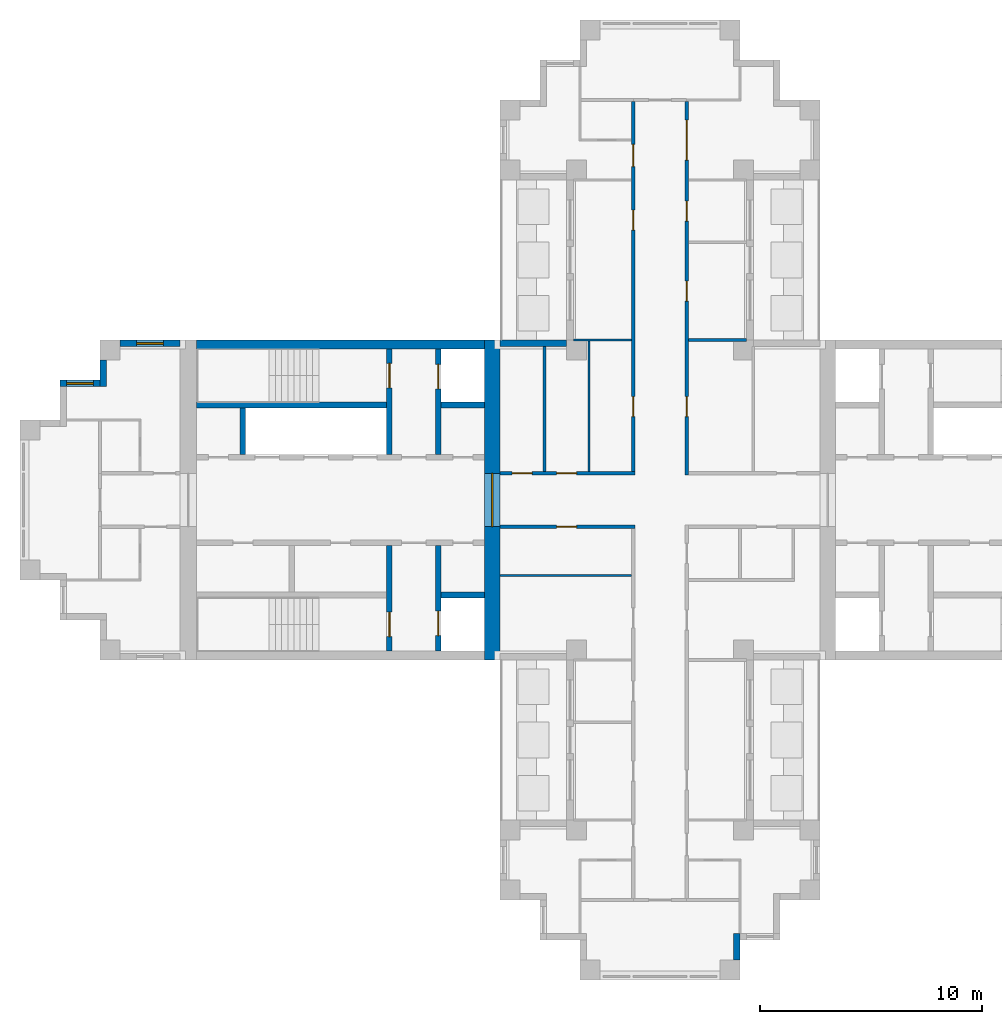
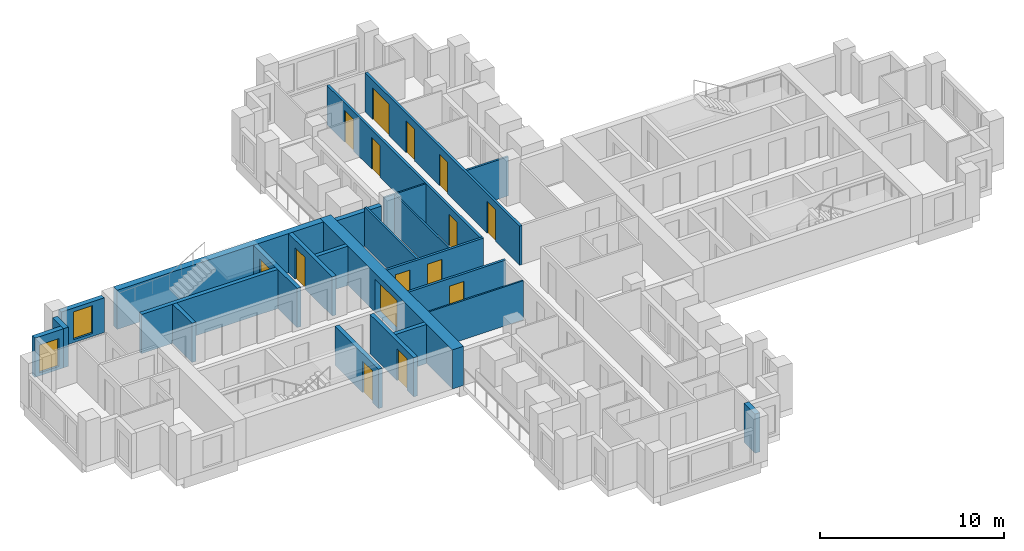
# One storey, part 4 of 10: 24 walls, 15 doors, 2 windows, 17 openings.
"""IFC4 building model written with IfcOpenShell, lengths in metres."""

from ifc_helpers import new_model, si_unit, direction, frame, frame_2d, origin, place, context, subcontext, project, spatial, rectangle, extrude, material, layer, layer_set, type_object, element, fill, save


model = new_model("IFC4")

# Units and contexts
model_context = context("Model", 3, precision=1e-05, world=origin(), true_north=direction((0.0, 1.0)))
body_context = subcontext(model_context, "Body", "Model", "MODEL_VIEW")
ifc_project = project(units=[si_unit("LENGTHUNIT", "METRE"), si_unit("AREAUNIT", "SQUARE_METRE"), si_unit("VOLUMEUNIT", "CUBIC_METRE"), si_unit("PLANEANGLEUNIT", "RADIAN"), si_unit("MASSUNIT", "GRAM", prefix="KILO")], contexts=[model_context])

# Site, building, storey
site_placement = place(None, origin())
site = spatial("IfcSite", under=ifc_project, at=site_placement, CompositionType="ELEMENT")
building_placement = place(site_placement, origin())
building = spatial("IfcBuilding", under=site, at=building_placement, Name="Fustian Cross Tower", CompositionType="ELEMENT")
storey_placement = place(building_placement, frame((0.0, 0.0, 201.89990234375)))
storey = spatial("IfcBuildingStorey", under=building, at=storey_placement, Name="L63", CompositionType="ELEMENT", Elevation=201.89990234375)

# Wall, opening, door
ifc_material_1 = material(Name="Plasterboard on steel stud", Category="steel")
ifc_layer_1 = layer(ifc_material_1, 0.14990234375)
ifc_layer_set_1 = layer_set([ifc_layer_1], Name="Plasterboard on steel stud")
wall_type_1 = type_object("IfcWallType", Name="COMPARTMENT WALL 150 EI 60", PredefinedType="PARTITIONING", material=ifc_layer_set_1)
wall_1_placement = place(storey_placement, frame((-7.199951171875, -1.199951171875, 0.0), z_axis=(0.0, 0.0, 1.0), x_axis=(1.0, 0.0, 0.0)))
wall_1 = element("IfcWall", 1, at=wall_1_placement, inside=storey, type_object=wall_type_1, Name="Partition 11", PredefinedType="PARTITIONING", context=body_context, shape_type="SweptSolid", body=[
    extrude(rectangle(XDim=6.074951171875, YDim=0.14990234375, at=frame_2d((3.03759765625, 0.0))), origin(), (0.0, 0.0, 1.0), 2.60009765625),
])
opening_1_placement = place(wall_1_placement, frame((2.550048828125, 0.0, 0.0)))
opening_1 = element("IfcOpeningElement", 2, at=opening_1_placement, cuts=wall_1, Name="Opening D29009", PredefinedType="OPENING", context=body_context, shape_type="SweptSolid", body=[
    extrude(rectangle(XDim=0.89990234375, YDim=2.10009765625, at=frame_2d((0.449951171875, 1.050048828125))), frame((0.0, 0.0849609375, 0.0), z_axis=(0.0, -1.0, 0.0), x_axis=(1.0, 0.0, 0.0)), (0.0, 0.0, 1.0), 0.169921875),
])
ifc_material_2 = material(Name="Timber fire door set", Category="wood")
door_type_1 = type_object("IfcDoorType", Name="FIRE SWING DOOR 900 FD30S", OperationType="SINGLE_SWING_LEFT", PredefinedType="DOOR", material=ifc_material_2)
door_1_placement = place(opening_1_placement, frame((0.89990234375, 0.0, 0.0), z_axis=(0.0, 0.0, 1.0), x_axis=(-1.0, 0.0, 0.0)))
door_1 = element("IfcDoor", 3, at=door_1_placement, inside=storey, type_object=door_type_1, Name="Door D29009", OperationType="SINGLE_SWING_RIGHT", OverallHeight=2.10009765625, OverallWidth=0.89990234375, PredefinedType="DOOR", context=body_context, shape_type="SweptSolid", body=[
    extrude(rectangle(XDim=0.89990234375, YDim=2.10009765625, at=frame_2d((0.449951171875, 1.050048828125))), frame((0.0, 0.02490234375, 0.0), z_axis=(0.0, -1.0, 0.0), x_axis=(1.0, 0.0, 0.0)), (0.0, 0.0, 1.0), 0.050048828125),
])
fill(opening_1, door_1)

# Wall, openings, doors
wall_2_placement = place(storey_placement, frame((-7.199951171875, 1.199951171875, 0.0), z_axis=(0.0, 0.0, 1.0), x_axis=(1.0, 0.0, 0.0)))
wall_2 = element("IfcWall", 4, at=wall_2_placement, inside=storey, type_object=wall_type_1, Name="Partition 12", PredefinedType="PARTITIONING", context=body_context, shape_type="SweptSolid", body=[
    extrude(rectangle(XDim=6.074951171875, YDim=0.14990234375, at=frame_2d((3.03759765625, 0.0))), origin(), (0.0, 0.0, 1.0), 2.60009765625),
])
opening_2_placement = place(wall_2_placement, frame((2.550048828125, 0.0, 0.0)))
opening_2 = element("IfcOpeningElement", 5, at=opening_2_placement, cuts=wall_2, Name="Opening D29004", PredefinedType="OPENING", context=body_context, shape_type="SweptSolid", body=[
    extrude(rectangle(XDim=0.89990234375, YDim=2.10009765625, at=frame_2d((0.449951171875, 1.050048828125))), frame((0.0, 0.0849609375, 0.0), z_axis=(0.0, -1.0, 0.0), x_axis=(1.0, 0.0, 0.0)), (0.0, 0.0, 1.0), 0.169921875),
])
opening_3_placement = place(wall_2_placement, frame((0.550048828125, 0.0, 0.0)))
opening_3 = element("IfcOpeningElement", 6, at=opening_3_placement, cuts=wall_2, Name="Opening D29005", PredefinedType="OPENING", context=body_context, shape_type="SweptSolid", body=[
    extrude(rectangle(XDim=0.89990234375, YDim=2.10009765625, at=frame_2d((0.449951171875, 1.050048828125))), frame((0.0, 0.0849609375, 0.0), z_axis=(0.0, -1.0, 0.0), x_axis=(1.0, 0.0, 0.0)), (0.0, 0.0, 1.0), 0.169921875),
])
door_2_placement = place(opening_2_placement, origin())
door_2 = element("IfcDoor", 7, at=door_2_placement, inside=storey, type_object=door_type_1, Name="Door D29004", OperationType="SINGLE_SWING_LEFT", OverallHeight=2.10009765625, OverallWidth=0.89990234375, PredefinedType="DOOR", context=body_context, shape_type="SweptSolid", body=[
    extrude(rectangle(XDim=0.89990234375, YDim=2.10009765625, at=frame_2d((0.449951171875, 1.050048828125))), frame((0.0, 0.02490234375, 0.0), z_axis=(0.0, -1.0, 0.0), x_axis=(1.0, 0.0, 0.0)), (0.0, 0.0, 1.0), 0.050048828125),
])
fill(opening_2, door_2)
door_3_placement = place(opening_3_placement, origin())
door_3 = element("IfcDoor", 8, at=door_3_placement, inside=storey, type_object=door_type_1, Name="Door D29005", OperationType="SINGLE_SWING_LEFT", OverallHeight=2.10009765625, OverallWidth=0.89990234375, PredefinedType="DOOR", context=body_context, shape_type="SweptSolid", body=[
    extrude(rectangle(XDim=0.89990234375, YDim=2.10009765625, at=frame_2d((0.449951171875, 1.050048828125))), frame((0.0, 0.02490234375, 0.0), z_axis=(0.0, -1.0, 0.0), x_axis=(1.0, 0.0, 0.0)), (0.0, 0.0, 1.0), 0.050048828125),
])
fill(opening_3, door_3)

wall_3_placement = place(storey_placement, frame((-1.199951171875, 1.27490234375, 0.0), z_axis=(0.0, 0.0, 1.0), x_axis=(0.0, 1.0, 0.0)))
wall_3 = element("IfcWall", 9, at=wall_3_placement, inside=storey, type_object=wall_type_1, Name="Partition 28", PredefinedType="PARTITIONING", context=body_context, shape_type="SweptSolid", body=[
    extrude(rectangle(XDim=16.650146484375, YDim=0.14990234375, at=frame_2d((8.3251953125, 0.0))), origin(), (0.0, 0.0, 1.0), 2.60009765625),
])
opening_4_placement = place(wall_3_placement, frame((2.47509765625, 0.0, 0.0)))
opening_4 = element("IfcOpeningElement", 10, at=opening_4_placement, cuts=wall_3, Name="Opening D29003", PredefinedType="OPENING", context=body_context, shape_type="SweptSolid", body=[
    extrude(rectangle(XDim=0.89990234375, YDim=2.10009765625, at=frame_2d((0.449951171875, 1.050048828125))), frame((0.0, 0.0849609375, 0.0), z_axis=(0.0, -1.0, 0.0), x_axis=(1.0, 0.0, 0.0)), (0.0, 0.0, 1.0), 0.169921875),
])
opening_5_placement = place(wall_3_placement, frame((10.875, 0.0, 0.0)))
opening_5 = element("IfcOpeningElement", 11, at=opening_5_placement, cuts=wall_3, Name="Opening D29015", PredefinedType="OPENING", context=body_context, shape_type="SweptSolid", body=[
    extrude(rectangle(XDim=0.89990234375, YDim=2.10009765625, at=frame_2d((0.449951171875, 1.050048828125))), frame((0.0, 0.0849609375, 0.0), z_axis=(0.0, -1.0, 0.0), x_axis=(1.0, 0.0, 0.0)), (0.0, 0.0, 1.0), 0.169921875),
])
opening_6_placement = place(wall_3_placement, frame((13.72509765625, 0.0, 0.0)))
opening_6 = element("IfcOpeningElement", 12, at=opening_6_placement, cuts=wall_3, Name="Opening D29017", PredefinedType="OPENING", context=body_context, shape_type="SweptSolid", body=[
    extrude(rectangle(XDim=1.0, YDim=2.10009765625, at=frame_2d((0.5, 1.050048828125))), frame((0.0, 0.0849609375, 0.0), z_axis=(0.0, -1.0, 0.0), x_axis=(1.0, 0.0, 0.0)), (0.0, 0.0, 1.0), 0.169921875),
])
ifc_material_3 = material(Name="Timber fire door set", Category="wood")
door_type_2 = type_object("IfcDoorType", Name="FIRE SWING DOOR 1000 FD30S", OperationType="SINGLE_SWING_LEFT", PredefinedType="DOOR", material=ifc_material_3)
door_4_placement = place(opening_6_placement, origin())
door_4 = element("IfcDoor", 13, at=door_4_placement, inside=storey, type_object=door_type_2, Name="Door D29017", OperationType="SINGLE_SWING_RIGHT", OverallHeight=2.10009765625, OverallWidth=1.0, PredefinedType="DOOR", context=body_context, shape_type="SweptSolid", body=[
    extrude(rectangle(XDim=1.0, YDim=2.10009765625, at=frame_2d((0.5, 1.050048828125))), frame((0.0, 0.02490234375, 0.0), z_axis=(0.0, -1.0, 0.0), x_axis=(1.0, 0.0, 0.0)), (0.0, 0.0, 1.0), 0.050048828125),
])
fill(opening_6, door_4)
door_5_placement = place(opening_4_placement, origin())
door_5 = element("IfcDoor", 14, at=door_5_placement, inside=storey, type_object=door_type_1, Name="Door D29003", OperationType="SINGLE_SWING_LEFT", OverallHeight=2.10009765625, OverallWidth=0.89990234375, PredefinedType="DOOR", context=body_context, shape_type="SweptSolid", body=[
    extrude(rectangle(XDim=0.89990234375, YDim=2.10009765625, at=frame_2d((0.449951171875, 1.050048828125))), frame((0.0, 0.02490234375, 0.0), z_axis=(0.0, -1.0, 0.0), x_axis=(1.0, 0.0, 0.0)), (0.0, 0.0, 1.0), 0.050048828125),
])
fill(opening_4, door_5)
door_6_placement = place(opening_5_placement, origin())
door_6 = element("IfcDoor", 15, at=door_6_placement, inside=storey, type_object=door_type_1, Name="Door D29015", OperationType="SINGLE_SWING_RIGHT", OverallHeight=2.10009765625, OverallWidth=0.89990234375, PredefinedType="DOOR", context=body_context, shape_type="SweptSolid", body=[
    extrude(rectangle(XDim=0.89990234375, YDim=2.10009765625, at=frame_2d((0.449951171875, 1.050048828125))), frame((0.0, 0.02490234375, 0.0), z_axis=(0.0, -1.0, 0.0), x_axis=(1.0, 0.0, 0.0)), (0.0, 0.0, 1.0), 0.050048828125),
])
fill(opening_5, door_6)

wall_4_placement = place(storey_placement, frame((1.199951171875, 1.125, 0.0), z_axis=(0.0, 0.0, 1.0), x_axis=(0.0, 1.0, 0.0)))
wall_4 = element("IfcWall", 16, at=wall_4_placement, inside=storey, type_object=wall_type_1, Name="Partition 37", PredefinedType="PARTITIONING", context=body_context, shape_type="SweptSolid", body=[
    extrude(rectangle(XDim=16.800048828125, YDim=0.14990234375, at=frame_2d((8.39990234375, 0.0))), origin(), (0.0, 0.0, 1.0), 2.60009765625),
])
opening_7_placement = place(wall_4_placement, frame((2.625, 0.0, 0.0)))
opening_7 = element("IfcOpeningElement", 17, at=opening_7_placement, cuts=wall_4, Name="Opening D29001", PredefinedType="OPENING", context=body_context, shape_type="SweptSolid", body=[
    extrude(rectangle(XDim=0.89990234375, YDim=2.10009765625, at=frame_2d((0.449951171875, 1.050048828125))), frame((0.0, 0.0849609375, 0.0), z_axis=(0.0, -1.0, 0.0), x_axis=(1.0, 0.0, 0.0)), (0.0, 0.0, 1.0), 0.169921875),
])
opening_8_placement = place(wall_4_placement, frame((11.425048828125, 0.0, 0.0)))
opening_8 = element("IfcOpeningElement", 18, at=opening_8_placement, cuts=wall_4, Name="Opening D29018", PredefinedType="OPENING", context=body_context, shape_type="SweptSolid", body=[
    extrude(rectangle(XDim=0.89990234375, YDim=2.10009765625, at=frame_2d((0.449951171875, 1.050048828125))), frame((0.0, 0.0849609375, 0.0), z_axis=(0.0, -1.0, 0.0), x_axis=(1.0, 0.0, 0.0)), (0.0, 0.0, 1.0), 0.169921875),
])
opening_9_placement = place(wall_4_placement, frame((7.824951171875, 0.0, 0.0)))
opening_9 = element("IfcOpeningElement", 19, at=opening_9_placement, cuts=wall_4, Name="Opening D29019", PredefinedType="OPENING", context=body_context, shape_type="SweptSolid", body=[
    extrude(rectangle(XDim=0.89990234375, YDim=2.10009765625, at=frame_2d((0.449951171875, 1.050048828125))), frame((0.0, 0.0849609375, 0.0), z_axis=(0.0, -1.0, 0.0), x_axis=(1.0, 0.0, 0.0)), (0.0, 0.0, 1.0), 0.169921875),
])
opening_10_placement = place(wall_4_placement, frame((14.175048828125, 0.0, 0.0)))
opening_10 = element("IfcOpeningElement", 20, at=opening_10_placement, cuts=wall_4, Name="Opening D29020", PredefinedType="OPENING", context=body_context, shape_type="SweptSolid", body=[
    extrude(rectangle(XDim=1.800048828125, YDim=2.10009765625, at=frame_2d((0.89990234375, 1.050048828125))), frame((0.0, 0.0849609375, 0.0), z_axis=(0.0, -1.0, 0.0), x_axis=(1.0, 0.0, 0.0)), (0.0, 0.0, 1.0), 0.169921875),
])
ifc_material_4 = material(Name="Timber fire door set", Category="wood")
door_type_3 = type_object("IfcDoorType", Name="FIRE DOUBLE DOOR 1800 FD30S", OperationType="DOUBLE_DOOR_DOUBLE_SWING", PredefinedType="DOOR", material=ifc_material_4)
door_7_placement = place(opening_10_placement, origin())
door_7 = element("IfcDoor", 21, at=door_7_placement, inside=storey, type_object=door_type_3, Name="Door D29020", OperationType="DOUBLE_DOOR_DOUBLE_SWING", OverallHeight=2.10009765625, OverallWidth=1.800048828125, PredefinedType="DOOR", context=body_context, shape_type="SweptSolid", body=[
    extrude(rectangle(XDim=1.800048828125, YDim=2.10009765625, at=frame_2d((0.89990234375, 1.050048828125))), frame((0.0, 0.02490234375, 0.0), z_axis=(0.0, -1.0, 0.0), x_axis=(1.0, 0.0, 0.0)), (0.0, 0.0, 1.0), 0.050048828125),
])
fill(opening_10, door_7)
door_8_placement = place(opening_7_placement, frame((0.89990234375, 0.0, 0.0), z_axis=(0.0, 0.0, 1.0), x_axis=(-1.0, 0.0, 0.0)))
door_8 = element("IfcDoor", 22, at=door_8_placement, inside=storey, type_object=door_type_1, Name="Door D29001", OperationType="SINGLE_SWING_RIGHT", OverallHeight=2.10009765625, OverallWidth=0.89990234375, PredefinedType="DOOR", context=body_context, shape_type="SweptSolid", body=[
    extrude(rectangle(XDim=0.89990234375, YDim=2.10009765625, at=frame_2d((0.449951171875, 1.050048828125))), frame((0.0, 0.02490234375, 0.0), z_axis=(0.0, -1.0, 0.0), x_axis=(1.0, 0.0, 0.0)), (0.0, 0.0, 1.0), 0.050048828125),
])
fill(opening_7, door_8)
door_9_placement = place(opening_8_placement, frame((0.89990234375, 0.0, 0.0), z_axis=(0.0, 0.0, 1.0), x_axis=(-1.0, 0.0, 0.0)))
door_9 = element("IfcDoor", 23, at=door_9_placement, inside=storey, type_object=door_type_1, Name="Door D29018", OperationType="SINGLE_SWING_RIGHT", OverallHeight=2.10009765625, OverallWidth=0.89990234375, PredefinedType="DOOR", context=body_context, shape_type="SweptSolid", body=[
    extrude(rectangle(XDim=0.89990234375, YDim=2.10009765625, at=frame_2d((0.449951171875, 1.050048828125))), frame((0.0, 0.02490234375, 0.0), z_axis=(0.0, -1.0, 0.0), x_axis=(1.0, 0.0, 0.0)), (0.0, 0.0, 1.0), 0.050048828125),
])
fill(opening_8, door_9)
door_10_placement = place(opening_9_placement, frame((0.89990234375, 0.0, 0.0), z_axis=(0.0, 0.0, 1.0), x_axis=(-1.0, 0.0, 0.0)))
door_10 = element("IfcDoor", 24, at=door_10_placement, inside=storey, type_object=door_type_1, Name="Door D29019", OperationType="SINGLE_SWING_RIGHT", OverallHeight=2.10009765625, OverallWidth=0.89990234375, PredefinedType="DOOR", context=body_context, shape_type="SweptSolid", body=[
    extrude(rectangle(XDim=0.89990234375, YDim=2.10009765625, at=frame_2d((0.449951171875, 1.050048828125))), frame((0.0, 0.02490234375, 0.0), z_axis=(0.0, -1.0, 0.0), x_axis=(1.0, 0.0, 0.0)), (0.0, 0.0, 1.0), 0.050048828125),
])
fill(opening_9, door_10)

# Wall, opening, door
ifc_material_5 = material(Name="Concrete C50/60", Category="concrete")
ifc_layer_2 = layer(ifc_material_5, 0.699951171875)
ifc_layer_set_2 = layer_set([ifc_layer_2], Name="Concrete C50/60")
wall_type_2 = type_object("IfcWallType", Name="CORE END WALL 700 C50/60", PredefinedType="SHEAR", material=ifc_layer_set_2)
wall_5_placement = place(storey_placement, frame((-7.550048828125, -7.199951171875, 0.0), z_axis=(0.0, 0.0, 1.0), x_axis=(0.0, 1.0, 0.0)))
wall_5 = element("IfcWall", 25, at=wall_5_placement, inside=storey, type_object=wall_type_2, Name="Core end wall", PredefinedType="SHEAR", context=body_context, shape_type="SweptSolid", body=[
    extrude(rectangle(XDim=14.39990234375, YDim=0.699951171875, at=frame_2d((7.199951171875, 0.0))), origin(), (0.0, 0.0, 1.0), 2.60009765625),
])
opening_11_placement = place(wall_5_placement, frame((6.0, 0.0, 0.0)))
opening_11 = element("IfcOpeningElement", 26, at=opening_11_placement, cuts=wall_5, Name="Opening CD-27-28", PredefinedType="OPENING", context=body_context, shape_type="SweptSolid", body=[
    extrude(rectangle(XDim=2.39990234375, YDim=2.199951171875, at=frame_2d((1.199951171875, 1.10009765625))), frame((0.0, 0.35986328125, 0.0), z_axis=(0.0, -1.0, 0.0), x_axis=(1.0, 0.0, 0.0)), (0.0, 0.0, 1.0), 0.719970703125),
])
ifc_material_6 = material(Name="Steel", Category="steel")
door_type_4 = type_object("IfcDoorType", Name="FIRE DOOR FD30S DOUBLE 2400X2200", OperationType="DOUBLE_DOOR_DOUBLE_SWING", PredefinedType="DOOR", material=ifc_material_6)
door_11_placement = place(opening_11_placement, origin())
door_11 = element("IfcDoor", 27, at=door_11_placement, inside=storey, type_object=door_type_4, Name="Core door CD-27-28", OperationType="DOUBLE_DOOR_DOUBLE_SWING", OverallHeight=2.199951171875, OverallWidth=2.39990234375, PredefinedType="DOOR", context=body_context, shape_type="SweptSolid", body=[
    extrude(rectangle(XDim=2.39990234375, YDim=2.199951171875, at=frame_2d((1.199951171875, 1.10009765625))), frame((0.0, 0.02490234375, 0.0), z_axis=(0.0, -1.0, 0.0), x_axis=(1.0, 0.0, 0.0)), (0.0, 0.0, 1.0), 0.050048828125),
])
fill(opening_11, door_11)

# Walls
ifc_material_7 = material(Name="Concrete C50/60", Category="concrete")
ifc_layer_3 = layer(ifc_material_7, 0.39990234375)
ifc_layer_set_3 = layer_set([ifc_layer_3], Name="Concrete C50/60")
wall_type_3 = type_object("IfcWallType", Name="CORE FACADE WALL 400 C50/60", PredefinedType="SHEAR", material=ifc_layer_set_3)
wall_6_placement = place(storey_placement, frame((-7.89990234375, 7.0, 0.0), z_axis=(0.0, 0.0, 1.0), x_axis=(-1.0, 0.0, 0.0)))
element("IfcWall", 28, at=wall_6_placement, inside=storey, type_object=wall_type_3, Name="Core facade wall", PredefinedType="SHEAR", context=body_context, shape_type="SweptSolid", body=[
    extrude(rectangle(XDim=12.9501953125, YDim=0.39990234375, at=frame_2d((6.47509765625, 0.0))), origin(), (0.0, 0.0, 1.0), 2.60009765625),
])
ifc_material_8 = material(Name="Concrete C50/60", Category="concrete")
ifc_layer_4 = layer(ifc_material_8, 0.25)
ifc_layer_set_4 = layer_set([ifc_layer_4], Name="Concrete C50/60")
wall_type_4 = type_object("IfcWallType", Name="CORE SHAFT WALL 250 C50/60", PredefinedType="SHEAR", material=ifc_layer_set_4)
wall_7_placement = place(storey_placement, frame((-7.89990234375, 4.27490234375, 0.0), z_axis=(0.0, 0.0, 1.0), x_axis=(-1.0, 0.0, 0.0)))
element("IfcWall", 29, at=wall_7_placement, inside=storey, type_object=wall_type_4, Name="Core shaft wall", PredefinedType="SHEAR", context=body_context, shape_type="SweptSolid", body=[
    extrude(rectangle(XDim=1.9501953125, YDim=0.25, at=frame_2d((0.97509765625, 0.0))), origin(), (0.0, 0.0, 1.0), 2.60009765625),
])
wall_8_placement = place(storey_placement, frame((-12.300048828125, 4.27490234375, 0.0), z_axis=(0.0, 0.0, 1.0), x_axis=(-1.0, 0.0, 0.0)))
element("IfcWall", 30, at=wall_8_placement, inside=storey, type_object=wall_type_4, Name="Core shaft wall", PredefinedType="SHEAR", context=body_context, shape_type="SweptSolid", body=[
    extrude(rectangle(XDim=8.550048828125, YDim=0.25, at=frame_2d((4.27490234375, 0.0))), origin(), (0.0, 0.0, 1.0), 2.60009765625),
])

# Wall, opening, door
wall_9_placement = place(storey_placement, frame((-9.97509765625, 2.050048828125, 0.0), z_axis=(0.0, 0.0, 1.0), x_axis=(0.0, 1.0, 0.0)))
wall_9 = element("IfcWall", 31, at=wall_9_placement, inside=storey, type_object=wall_type_4, Name="Core shaft wall", PredefinedType="SHEAR", context=body_context, shape_type="SweptSolid", body=[
    extrude(rectangle(XDim=4.75, YDim=0.25, at=frame_2d((2.375, 0.0))), origin(), (0.0, 0.0, 1.0), 2.60009765625),
])
opening_12_placement = place(wall_9_placement, frame((2.949951171875, 0.0, 0.0)))
opening_12 = element("IfcOpeningElement", 32, at=opening_12_placement, cuts=wall_9, Name="Opening LD", PredefinedType="OPENING", context=body_context, shape_type="SweptSolid", body=[
    extrude(rectangle(XDim=1.10009765625, YDim=2.10009765625, at=frame_2d((0.550048828125, 1.050048828125))), frame((0.0, 0.135009765625, 0.0), z_axis=(0.0, -1.0, 0.0), x_axis=(1.0, 0.0, 0.0)), (0.0, 0.0, 1.0), 0.27001953125),
])
ifc_material_9 = material(Name="Stainless steel", Category="steel")
door_type_5 = type_object("IfcDoorType", Name="LIFT LANDING DOOR 1100X2100", OperationType="SLIDING_TO_LEFT", PredefinedType="DOOR", material=ifc_material_9)
door_12_placement = place(opening_12_placement, origin())
door_12 = element("IfcDoor", 33, at=door_12_placement, inside=storey, type_object=door_type_5, Name="Landing door FL1W", OperationType="SLIDING_TO_LEFT", OverallHeight=2.10009765625, OverallWidth=1.10009765625, PredefinedType="DOOR", context=body_context, shape_type="SweptSolid", body=[
    extrude(rectangle(XDim=1.10009765625, YDim=2.10009765625, at=frame_2d((0.550048828125, 1.050048828125))), frame((0.0, 0.02490234375, 0.0), z_axis=(0.0, -1.0, 0.0), x_axis=(1.0, 0.0, 0.0)), (0.0, 0.0, 1.0), 0.050048828125),
])
fill(opening_12, door_12)

wall_10_placement = place(storey_placement, frame((-12.175048828125, 2.050048828125, 0.0), z_axis=(0.0, 0.0, 1.0), x_axis=(0.0, 1.0, 0.0)))
wall_10 = element("IfcWall", 34, at=wall_10_placement, inside=storey, type_object=wall_type_4, Name="Core shaft wall", PredefinedType="SHEAR", context=body_context, shape_type="SweptSolid", body=[
    extrude(rectangle(XDim=4.75, YDim=0.25, at=frame_2d((2.375, 0.0))), origin(), (0.0, 0.0, 1.0), 2.60009765625),
])
opening_13_placement = place(wall_10_placement, frame((3.0, 0.0, 0.0)))
opening_13 = element("IfcOpeningElement", 35, at=opening_13_placement, cuts=wall_10, Name="Opening CD-27-22", PredefinedType="OPENING", context=body_context, shape_type="SweptSolid", body=[
    extrude(rectangle(XDim=1.10009765625, YDim=2.10009765625, at=frame_2d((0.550048828125, 1.050048828125))), frame((0.0, 0.135009765625, 0.0), z_axis=(0.0, -1.0, 0.0), x_axis=(1.0, 0.0, 0.0)), (0.0, 0.0, 1.0), 0.27001953125),
])
ifc_material_10 = material(Name="Steel", Category="steel")
door_type_6 = type_object("IfcDoorType", Name="FIRE DOOR FD60S 1100X2100", OperationType="SINGLE_SWING_LEFT", PredefinedType="DOOR", material=ifc_material_10)
door_13_placement = place(opening_13_placement, origin())
door_13 = element("IfcDoor", 36, at=door_13_placement, inside=storey, type_object=door_type_6, Name="Core door CD-27-22", OperationType="SINGLE_SWING_LEFT", OverallHeight=2.10009765625, OverallWidth=1.10009765625, PredefinedType="DOOR", context=body_context, shape_type="SweptSolid", body=[
    extrude(rectangle(XDim=1.10009765625, YDim=2.10009765625, at=frame_2d((0.550048828125, 1.050048828125))), frame((0.0, 0.02490234375, 0.0), z_axis=(0.0, -1.0, 0.0), x_axis=(1.0, 0.0, 0.0)), (0.0, 0.0, 1.0), 0.050048828125),
])
fill(opening_13, door_13)

# Wall
wall_11_placement = place(storey_placement, frame((-7.89990234375, -4.27490234375, 0.0), z_axis=(0.0, 0.0, 1.0), x_axis=(-1.0, 0.0, 0.0)))
element("IfcWall", 37, at=wall_11_placement, inside=storey, type_object=wall_type_4, Name="Core shaft wall", PredefinedType="SHEAR", context=body_context, shape_type="SweptSolid", body=[
    extrude(rectangle(XDim=1.9501953125, YDim=0.25, at=frame_2d((0.97509765625, 0.0))), origin(), (0.0, 0.0, 1.0), 2.60009765625),
])

# Wall, opening, door
wall_12_placement = place(storey_placement, frame((-9.97509765625, -2.050048828125, 0.0), z_axis=(0.0, 0.0, 1.0), x_axis=(0.0, -1.0, 0.0)))
wall_12 = element("IfcWall", 38, at=wall_12_placement, inside=storey, type_object=wall_type_4, Name="Core shaft wall", PredefinedType="SHEAR", context=body_context, shape_type="SweptSolid", body=[
    extrude(rectangle(XDim=4.75, YDim=0.25, at=frame_2d((2.375, 0.0))), origin(), (0.0, 0.0, 1.0), 2.60009765625),
])
opening_14_placement = place(wall_12_placement, frame((2.949951171875, 0.0, 0.0)))
opening_14 = element("IfcOpeningElement", 39, at=opening_14_placement, cuts=wall_12, Name="Opening LD", PredefinedType="OPENING", context=body_context, shape_type="SweptSolid", body=[
    extrude(rectangle(XDim=1.10009765625, YDim=2.10009765625, at=frame_2d((0.550048828125, 1.050048828125))), frame((0.0, 0.135009765625, 0.0), z_axis=(0.0, -1.0, 0.0), x_axis=(1.0, 0.0, 0.0)), (0.0, 0.0, 1.0), 0.27001953125),
])
door_14_placement = place(opening_14_placement, origin())
door_14 = element("IfcDoor", 40, at=door_14_placement, inside=storey, type_object=door_type_5, Name="Landing door SV1W", OperationType="SLIDING_TO_LEFT", OverallHeight=2.10009765625, OverallWidth=1.10009765625, PredefinedType="DOOR", context=body_context, shape_type="SweptSolid", body=[
    extrude(rectangle(XDim=1.10009765625, YDim=2.10009765625, at=frame_2d((0.550048828125, 1.050048828125))), frame((0.0, 0.02490234375, 0.0), z_axis=(0.0, -1.0, 0.0), x_axis=(1.0, 0.0, 0.0)), (0.0, 0.0, 1.0), 0.050048828125),
])
fill(opening_14, door_14)

wall_13_placement = place(storey_placement, frame((-12.175048828125, -2.050048828125, 0.0), z_axis=(0.0, 0.0, 1.0), x_axis=(0.0, -1.0, 0.0)))
wall_13 = element("IfcWall", 41, at=wall_13_placement, inside=storey, type_object=wall_type_4, Name="Core shaft wall", PredefinedType="SHEAR", context=body_context, shape_type="SweptSolid", body=[
    extrude(rectangle(XDim=4.75, YDim=0.25, at=frame_2d((2.375, 0.0))), origin(), (0.0, 0.0, 1.0), 2.60009765625),
])
opening_15_placement = place(wall_13_placement, frame((3.0, 0.0, 0.0)))
opening_15 = element("IfcOpeningElement", 42, at=opening_15_placement, cuts=wall_13, Name="Opening CD-27-23", PredefinedType="OPENING", context=body_context, shape_type="SweptSolid", body=[
    extrude(rectangle(XDim=1.10009765625, YDim=2.10009765625, at=frame_2d((0.550048828125, 1.050048828125))), frame((0.0, 0.135009765625, 0.0), z_axis=(0.0, -1.0, 0.0), x_axis=(1.0, 0.0, 0.0)), (0.0, 0.0, 1.0), 0.27001953125),
])
door_15_placement = place(opening_15_placement, frame((1.10009765625, 0.0, 0.0), z_axis=(0.0, 0.0, 1.0), x_axis=(-1.0, 0.0, 0.0)))
door_15 = element("IfcDoor", 43, at=door_15_placement, inside=storey, type_object=door_type_6, Name="Core door CD-27-23", OperationType="SINGLE_SWING_RIGHT", OverallHeight=2.10009765625, OverallWidth=1.10009765625, PredefinedType="DOOR", context=body_context, shape_type="SweptSolid", body=[
    extrude(rectangle(XDim=1.10009765625, YDim=2.10009765625, at=frame_2d((0.550048828125, 1.050048828125))), frame((0.0, 0.02490234375, 0.0), z_axis=(0.0, -1.0, 0.0), x_axis=(1.0, 0.0, 0.0)), (0.0, 0.0, 1.0), 0.050048828125),
])
fill(opening_15, door_15)

# Walls
ifc_material_11 = material(Name="Plasterboard on steel stud", Category="steel")
ifc_layer_5 = layer(ifc_material_11, 0.10009765625)
ifc_layer_set_5 = layer_set([ifc_layer_5], Name="Plasterboard on steel stud")
wall_type_5 = type_object("IfcWallType", Name="PARTITION 100 STUD", PredefinedType="PARTITIONING", material=ifc_layer_set_5)
wall_14_placement = place(storey_placement, frame((-7.199951171875, -3.39990234375, 0.0), z_axis=(0.0, 0.0, 1.0), x_axis=(1.0, 0.0, 0.0)))
element("IfcWall", 44, at=wall_14_placement, inside=storey, type_object=wall_type_5, Name="Partition 10", PredefinedType="PARTITIONING", context=body_context, shape_type="SweptSolid", body=[
    extrude(rectangle(XDim=5.925048828125, YDim=0.10009765625, at=frame_2d((2.96240234375, 0.0))), origin(), (0.0, 0.0, 1.0), 2.60009765625),
])
wall_15_placement = place(storey_placement, frame((-3.89990234375, 7.199951171875, 0.0), z_axis=(0.0, 0.0, 1.0), x_axis=(1.0, 0.0, 0.0)))
element("IfcWall", 45, at=wall_15_placement, inside=storey, type_object=wall_type_5, Name="Partition 17", PredefinedType="PARTITIONING", context=body_context, shape_type="SweptSolid", body=[
    extrude(rectangle(XDim=2.625, YDim=0.10009765625, at=frame_2d((1.3125, 0.0))), origin(), (0.0, 0.0, 1.0), 2.60009765625),
])
wall_16_placement = place(storey_placement, frame((-3.199951171875, 1.27490234375, 0.0), z_axis=(0.0, 0.0, 1.0), x_axis=(0.0, 1.0, 0.0)))
element("IfcWall", 46, at=wall_16_placement, inside=storey, type_object=wall_type_5, Name="Partition 25", PredefinedType="PARTITIONING", context=body_context, shape_type="SweptSolid", body=[
    extrude(rectangle(XDim=5.875, YDim=0.10009765625, at=frame_2d((2.9375, 0.0))), origin(), (0.0, 0.0, 1.0), 2.60009765625),
])
ifc_material_12 = material(Name="Concrete C40/50", Category="concrete")
ifc_layer_6 = layer(ifc_material_12, 0.25)
ifc_layer_set_6 = layer_set([ifc_layer_6], Name="Concrete C40/50")
wall_type_6 = type_object("IfcWallType", Name="SHAFT PARTITION WALL 250 C40/50", PredefinedType="PARTITIONING", material=ifc_layer_set_6)
wall_17_placement = place(storey_placement, frame((-18.77490234375, 2.050048828125, 0.0), z_axis=(0.0, 0.0, 1.0), x_axis=(0.0, 1.0, 0.0)))
element("IfcWall", 47, at=wall_17_placement, inside=storey, type_object=wall_type_6, Name="Core shaft wall", PredefinedType="PARTITIONING", context=body_context, shape_type="SweptSolid", body=[
    extrude(rectangle(XDim=2.099853515625, YDim=0.25, at=frame_2d((1.0498046875, 0.0))), origin(), (0.0, 0.0, 1.0), 2.60009765625),
])
ifc_material_13 = material(Name="Plasterboard on steel stud", Category="steel")
ifc_layer_7 = layer(ifc_material_13, 0.125)
ifc_layer_set_7 = layer_set([ifc_layer_7], Name="Plasterboard on steel stud")
wall_type_7 = type_object("IfcWallType", Name="WET WALL 125 STUD", PredefinedType="PARTITIONING", material=ifc_layer_set_7)
wall_18_placement = place(storey_placement, frame((-5.199951171875, 1.27490234375, 0.0), z_axis=(0.0, 0.0, 1.0), x_axis=(0.0, 1.0, 0.0)))
element("IfcWall", 48, at=wall_18_placement, inside=storey, type_object=wall_type_7, Name="Partition 13", PredefinedType="PARTITIONING", context=body_context, shape_type="SweptSolid", body=[
    extrude(rectangle(XDim=5.625, YDim=0.125, at=frame_2d((2.8125, 0.0))), origin(), (0.0, 0.0, 1.0), 2.60009765625),
])
wall_19_placement = place(storey_placement, frame((1.27490234375, 7.199951171875, 0.0), z_axis=(0.0, 0.0, 1.0), x_axis=(1.0, 0.0, 0.0)))
element("IfcWall", 49, at=wall_19_placement, inside=storey, type_object=wall_type_7, Name="Partition 39", PredefinedType="PARTITIONING", context=body_context, shape_type="SweptSolid", body=[
    extrude(rectangle(XDim=2.625, YDim=0.125, at=frame_2d((1.3125, 0.0))), origin(), (0.0, 0.0, 1.0), 2.60009765625),
])
ifc_material_14 = material(Name="Dark aluminium cladding on insulated backing wall", Category="aluminium")
ifc_layer_8 = layer(ifc_material_14, 0.300048828125)
ifc_layer_set_8 = layer_set([ifc_layer_8], Name="Dark aluminium cladding on insulated backing wall")
wall_type_8 = type_object("IfcWallType", Name="XW1 EXTERNAL WALL 300", PredefinedType="SOLIDWALL", material=ifc_layer_set_8)
wall_20_placement = place(storey_placement, frame((-4.199951171875, 7.050048828125, 0.0), z_axis=(0.0, 0.0, 1.0), x_axis=(-1.0, 0.0, 0.0)))
element("IfcWall", 50, at=wall_20_placement, inside=storey, type_object=wall_type_8, Name="External wall", PredefinedType="SOLIDWALL", context=body_context, shape_type="SweptSolid", body=[
    extrude(rectangle(XDim=3.0, YDim=0.300048828125, at=frame_2d((1.5, 0.0))), origin(), (0.0, 0.0, 1.0), 2.300048828125),
])

# Wall, opening, window
wall_21_placement = place(storey_placement, frame((-21.60009765625, 7.050048828125, 0.0), z_axis=(0.0, 0.0, 1.0), x_axis=(-1.0, 0.0, 0.0)))
wall_21 = element("IfcWall", 51, at=wall_21_placement, inside=storey, type_object=wall_type_8, Name="External wall", PredefinedType="SOLIDWALL", context=body_context, shape_type="SweptSolid", body=[
    extrude(rectangle(XDim=2.699951171875, YDim=0.300048828125, at=frame_2d((1.35009765625, 0.0))), origin(), (0.0, 0.0, 1.0), 2.300048828125),
])
opening_16_placement = place(wall_21_placement, frame((0.75, 0.0, 0.199951171875)))
opening_16 = element("IfcOpeningElement", 52, at=opening_16_placement, cuts=wall_21, Name="Opening WN3", PredefinedType="OPENING", context=body_context, shape_type="SweptSolid", body=[
    extrude(rectangle(XDim=1.199951171875, YDim=1.85009765625, at=frame_2d((0.60009765625, 0.925048828125))), frame((0.0, 0.159912109375, 0.0), z_axis=(0.0, -1.0, 0.0), x_axis=(1.0, 0.0, 0.0)), (0.0, 0.0, 1.0), 0.320068359375),
])
ifc_material_15 = material(Name="Dark anodised aluminium and double glazing", Category="aluminium")
window_type = type_object("IfcWindowType", Name="WN3 WINDOW 1200X1850", PartitioningType="SINGLE_PANEL", PredefinedType="WINDOW", material=ifc_material_15)
window_1_placement = place(opening_16_placement, origin())
window_1 = element("IfcWindow", 53, at=window_1_placement, inside=storey, type_object=window_type, Name="Window", OverallHeight=1.85009765625, OverallWidth=1.199951171875, PartitioningType="SINGLE_PANEL", PredefinedType="WINDOW", context=body_context, shape_type="SweptSolid", body=[
    extrude(rectangle(XDim=1.199951171875, YDim=1.85009765625, at=frame_2d((0.60009765625, 0.925048828125))), frame((0.0, 0.030029296875, 0.0), z_axis=(0.0, -1.0, 0.0), x_axis=(1.0, 0.0, 0.0)), (0.0, 0.0, 1.0), 0.06005859375),
])
fill(opening_16, window_1)

# Wall
wall_22_placement = place(storey_placement, frame((-25.050048828125, 6.300048828125, 0.0), z_axis=(0.0, 0.0, 1.0), x_axis=(0.0, -1.0, 0.0)))
element("IfcWall", 54, at=wall_22_placement, inside=storey, type_object=wall_type_8, Name="External wall", PredefinedType="SOLIDWALL", context=body_context, shape_type="SweptSolid", body=[
    extrude(rectangle(XDim=1.199951171875, YDim=0.300048828125, at=frame_2d((0.60009765625, 0.0))), origin(), (0.0, 0.0, 1.0), 2.60009765625),
])

# Wall, opening, window
wall_23_placement = place(storey_placement, frame((-25.199951171875, 5.25, 0.0), z_axis=(0.0, 0.0, 1.0), x_axis=(-1.0, 0.0, 0.0)))
wall_23 = element("IfcWall", 55, at=wall_23_placement, inside=storey, type_object=wall_type_8, Name="External wall", PredefinedType="SOLIDWALL", context=body_context, shape_type="SweptSolid", body=[
    extrude(rectangle(XDim=1.800048828125, YDim=0.300048828125, at=frame_2d((0.89990234375, 0.0))), origin(), (0.0, 0.0, 1.0), 2.60009765625),
])
opening_17_placement = place(wall_23_placement, frame((0.300048828125, 0.0, 0.199951171875)))
opening_17 = element("IfcOpeningElement", 56, at=opening_17_placement, cuts=wall_23, Name="Opening WN3", PredefinedType="OPENING", context=body_context, shape_type="SweptSolid", body=[
    extrude(rectangle(XDim=1.199951171875, YDim=1.85009765625, at=frame_2d((0.60009765625, 0.925048828125))), frame((0.0, 0.159912109375, 0.0), z_axis=(0.0, -1.0, 0.0), x_axis=(1.0, 0.0, 0.0)), (0.0, 0.0, 1.0), 0.320068359375),
])
window_2_placement = place(opening_17_placement, origin())
window_2 = element("IfcWindow", 57, at=window_2_placement, inside=storey, type_object=window_type, Name="Window", OverallHeight=1.85009765625, OverallWidth=1.199951171875, PartitioningType="SINGLE_PANEL", PredefinedType="WINDOW", context=body_context, shape_type="SweptSolid", body=[
    extrude(rectangle(XDim=1.199951171875, YDim=1.85009765625, at=frame_2d((0.60009765625, 0.925048828125))), frame((0.0, 0.030029296875, 0.0), z_axis=(0.0, -1.0, 0.0), x_axis=(1.0, 0.0, 0.0)), (0.0, 0.0, 1.0), 0.06005859375),
])
fill(opening_17, window_2)

# Wall
wall_24_placement = place(storey_placement, frame((3.449951171875, -20.699951171875, 0.0), z_axis=(0.0, 0.0, 1.0), x_axis=(0.0, 1.0, 0.0)))
element("IfcWall", 58, at=wall_24_placement, inside=storey, type_object=wall_type_8, Name="External wall", PredefinedType="SOLIDWALL", context=body_context, shape_type="SweptSolid", body=[
    extrude(rectangle(XDim=1.199951171875, YDim=0.300048828125, at=frame_2d((0.60009765625, 0.0))), origin(), (0.0, 0.0, 1.0), 2.60009765625),
])

save(model, "model.ifc")
